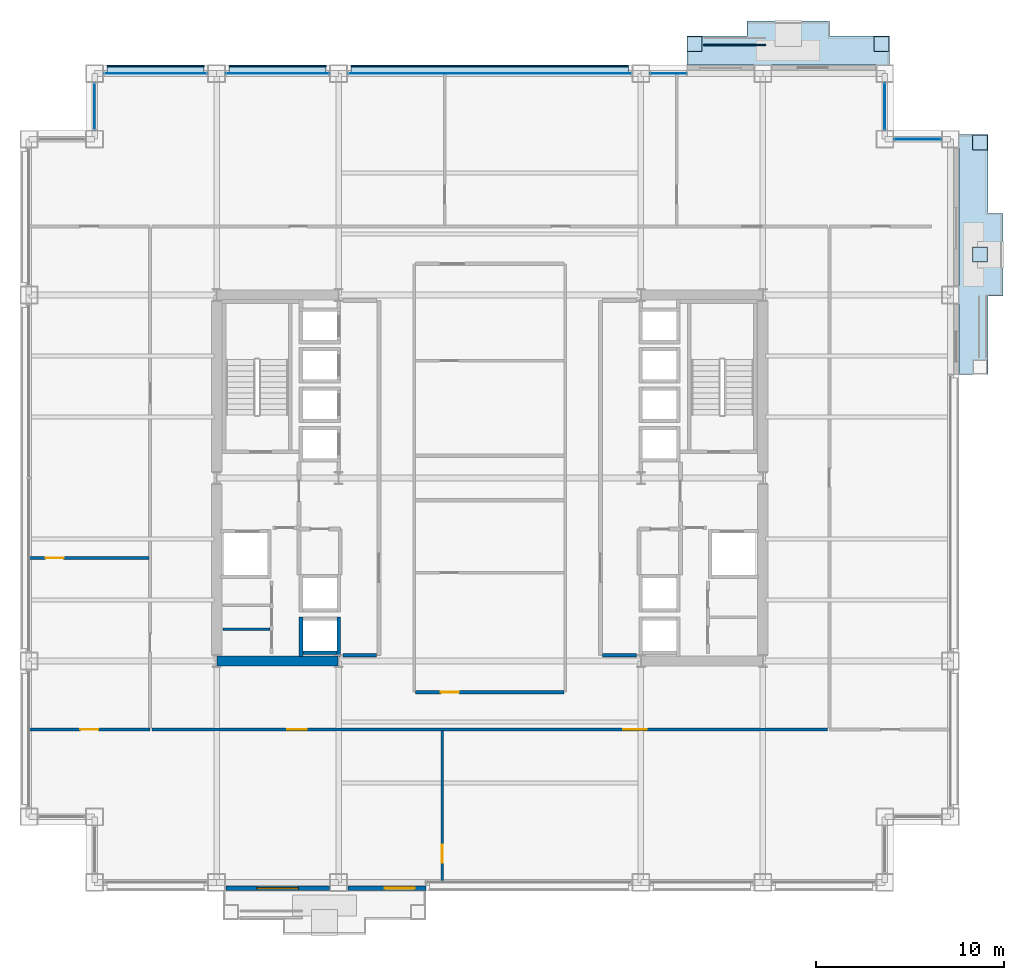
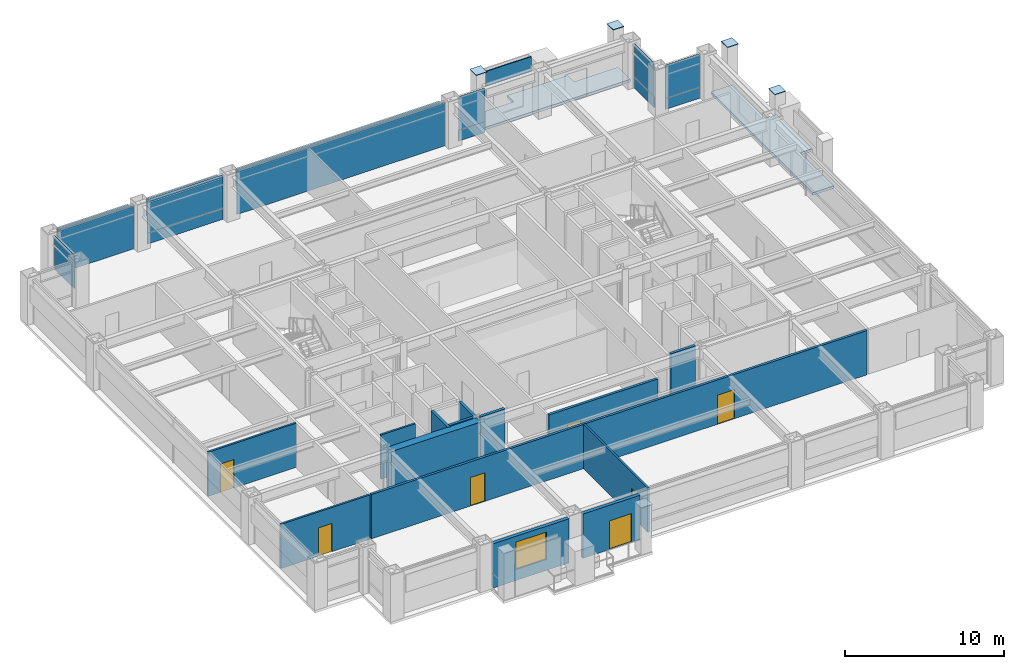
# One storey, part 24 of 31: 22 plates, 14 walls, 7 doors, 2 slabs, 1 window, 8 openings, 7 elements without a shape of their own.
"""IFC4 building model written with IfcOpenShell, lengths in metres."""

from ifc_helpers import new_model, si_unit, direction, frame, frame_2d, origin, origin_2d, place, context, subcontext, project, spatial, polyline, rectangle, outline, extrude, material, layer, layer_set, type_object, element, fill, aggregate, save


model = new_model("IFC4")

# Units and contexts
model_context = context("Model", 3, precision=1e-05, world=origin(), true_north=direction((0.0, 1.0)))
body_context = subcontext(model_context, "Body", "Model", "MODEL_VIEW")
ifc_project = project(units=[si_unit("LENGTHUNIT", "METRE"), si_unit("AREAUNIT", "SQUARE_METRE"), si_unit("VOLUMEUNIT", "CUBIC_METRE"), si_unit("PLANEANGLEUNIT", "RADIAN"), si_unit("MASSUNIT", "GRAM", prefix="KILO")], contexts=[model_context])

# Site, building, storey
site_placement = place(None, origin())
site = spatial("IfcSite", under=ifc_project, at=site_placement, CompositionType="ELEMENT")
building_placement = place(site_placement, origin())
building = spatial("IfcBuilding", under=site, at=building_placement, Name="Brelmoor Portico Tower", CompositionType="ELEMENT")
storey_placement = place(building_placement, frame((0.0, 0.0, 42.0)))
storey = spatial("IfcBuildingStorey", under=building, at=storey_placement, Name="L10", CompositionType="ELEMENT", Elevation=42.0)

# Plates
ifc_material_1 = material(Name="Steel Q355B", Category="steel")
ifc_layer_1 = layer(ifc_material_1, 0.044921875)
ifc_layer_set_1 = layer_set([ifc_layer_1], Name="Steel Q355B")
plate_type_1 = type_object("IfcPlateType", Name="PT-CAP-650", PredefinedType="SHEET", material=ifc_layer_set_1)
for number, where, z_axis, x_axis, name in (
    (1, (10.919921875, 23.1298828125, 3.60009765625), (0.0, 0.0, 1.0), (1.0, 0.0, 0.0), "L10 Proud Picture-Frame Pier PFJ-N1 Welded Head Cap Plate"),
    (2, (20.8798828125, 23.1298828125, 3.60009765625), (0.0, 0.0, 1.0), (1.0, 0.0, 0.0), "L10 Proud Picture-Frame Pier PFJ-N2 Welded Head Cap Plate"),
    (3, (26.1298828125, 17.8798828125, 3.60009765625), (0.0, 0.0, 1.0), (0.0, 1.0, 0.0), "L10 Proud Picture-Frame Pier PFJ-E2 Welded Head Cap Plate"),
    (4, (26.1298828125, 11.89990234375, 3.60009765625), (0.0, 0.0, 1.0), (0.0, 1.0, 0.0), "L10 Proud Picture-Frame Pier PFJ-E3 Welded Head Cap Plate"),
):
    element("IfcPlate", number, at=place(storey_placement, frame(where, z_axis=z_axis, x_axis=x_axis)), inside=storey, type_object=plate_type_1, Name=name, PredefinedType="SHEET", context=body_context, shape_type="SweptSolid", body=[
        extrude(rectangle(XDim=0.7900390625, YDim=0.7900390625, at=origin_2d()), origin(), (0.0, 0.0, 1.0), 0.0400390625),
    ])

# Curtain wall, plate
ifc_material_2 = material(Name="Anodised Aluminium Alloy 6063-T6", Category="aluminium")
ifc_layer_2 = layer(ifc_material_2, 0.179931640625)
ifc_layer_set_2 = layer_set([ifc_layer_2], Name="Anodised Aluminium Alloy 6063-T6")
curtain_wall_type_1 = type_object("IfcCurtainWallType", Name="CW-TOWER-Z1", PredefinedType="NOTDEFINED", material=ifc_layer_set_2)
curtain_wall_1_placement = place(storey_placement, origin())
curtain_wall_1 = element("IfcCurtainWall", 5, at=curtain_wall_1_placement, inside=storey, type_object=curtain_wall_type_1, Name="L10 Curtain Wall CW-L10-2L-2", PredefinedType="NOTDEFINED")
ifc_material_3 = material(Name="Double-Silver Low-E Insulated Glazing", Category="glass")
ifc_layer_3 = layer(ifc_material_3, 0.035888671875)
ifc_layer_set_3 = layer_set([ifc_layer_3], Name="Double-Silver Low-E Insulated Glazing")
plate_type_2 = type_object("IfcPlateType", Name="PT-CW-GLASS", PredefinedType="CURTAIN_PANEL", material=ifc_layer_set_3)
plate_1_placement = place(storey_placement, frame((-11.300048828125, 21.550048828125, 0.85009765625), z_axis=(0.0, 0.0, 1.0), x_axis=(1.0, 0.0, 0.0)))
plate_1 = element("IfcPlate", 6, at=plate_1_placement, type_object=plate_type_2, Name="CW-L10-2L-2 Vision Glass Panel 00", PredefinedType="CURTAIN_PANEL", context=body_context, shape_type="SweptSolid", body=[
    extrude(rectangle(XDim=5.5, YDim=0.035888671875, at=origin_2d()), origin(), (0.0, 0.0, 1.0), 2.550048828125),
])

curtain_wall_2_placement = place(storey_placement, origin())
curtain_wall_2 = element("IfcCurtainWall", 7, at=curtain_wall_2_placement, inside=storey, type_object=curtain_wall_type_1, Name="L10 Curtain Wall CW-L10-2L-4", PredefinedType="NOTDEFINED")
plate_2_placement = place(storey_placement, frame((9.517578125, 21.550048828125, 0.85009765625), z_axis=(0.0, 0.0, 1.0), x_axis=(1.0, 0.0, 0.0)))
plate_2 = element("IfcPlate", 8, at=plate_2_placement, type_object=plate_type_2, Name="CW-L10-2L-4 Vision Glass Panel 00", PredefinedType="CURTAIN_PANEL", context=body_context, shape_type="SweptSolid", body=[
    extrude(rectangle(XDim=1.93505859375, YDim=0.035888671875, at=origin_2d()), origin(), (0.0, 0.0, 1.0), 2.550048828125),
])

ifc_layer_4 = layer(ifc_material_2, 0.179931640625)
ifc_layer_set_4 = layer_set([ifc_layer_4], Name="Anodised Aluminium Alloy 6063-T6")
curtain_wall_type_2 = type_object("IfcCurtainWallType", Name="CW-NOTCH-CHAMFER", PredefinedType="NOTDEFINED", material=ifc_layer_set_4)
curtain_wall_3_placement = place(storey_placement, origin())
curtain_wall_3 = element("IfcCurtainWall", 9, at=curtain_wall_3_placement, inside=storey, type_object=curtain_wall_type_2, Name="L10 Curtain Wall CWN-L10-NWV", PredefinedType="NOTDEFINED")
plate_3_placement = place(storey_placement, frame((-21.050048828125, 19.800048828125, 0.85009765625), z_axis=(0.0, 0.0, 1.0), x_axis=(0.0, 1.0, 0.0)))
plate_3 = element("IfcPlate", 10, at=plate_3_placement, type_object=plate_type_2, Name="CWN-L10-NWV Vision Glass Panel 00", PredefinedType="CURTAIN_PANEL", context=body_context, shape_type="SweptSolid", body=[
    extrude(rectangle(XDim=2.5, YDim=0.035888671875, at=origin_2d()), origin(), (0.0, 0.0, 1.0), 2.550048828125),
])
aggregate(curtain_wall_3, [plate_3])

curtain_wall_4_placement = place(storey_placement, origin())
curtain_wall_4 = element("IfcCurtainWall", 11, at=curtain_wall_4_placement, inside=storey, type_object=curtain_wall_type_2, Name="L10 Curtain Wall CWN-L10-NEH", PredefinedType="NOTDEFINED")
plate_4_placement = place(storey_placement, frame((22.800048828125, 18.050048828125, 0.85009765625), z_axis=(0.0, 0.0, 1.0), x_axis=(1.0, 0.0, 0.0)))
plate_4 = element("IfcPlate", 12, at=plate_4_placement, type_object=plate_type_2, Name="CWN-L10-NEH Vision Glass Panel 00", PredefinedType="CURTAIN_PANEL", context=body_context, shape_type="SweptSolid", body=[
    extrude(rectangle(XDim=2.5, YDim=0.035888671875, at=origin_2d()), origin(), (0.0, 0.0, 1.0), 2.550048828125),
])

curtain_wall_5_placement = place(storey_placement, origin())
curtain_wall_5 = element("IfcCurtainWall", 13, at=curtain_wall_5_placement, inside=storey, type_object=curtain_wall_type_2, Name="L10 Curtain Wall CWN-L10-NEV", PredefinedType="NOTDEFINED")
plate_5_placement = place(storey_placement, frame((21.050048828125, 19.800048828125, 0.85009765625), z_axis=(0.0, 0.0, 1.0), x_axis=(0.0, 1.0, 0.0)))
plate_5 = element("IfcPlate", 14, at=plate_5_placement, type_object=plate_type_2, Name="CWN-L10-NEV Vision Glass Panel 00", PredefinedType="CURTAIN_PANEL", context=body_context, shape_type="SweptSolid", body=[
    extrude(rectangle(XDim=2.5, YDim=0.035888671875, at=origin_2d()), origin(), (0.0, 0.0, 1.0), 2.550048828125),
])

ifc_layer_5 = layer(ifc_material_2, 0.179931640625)
ifc_layer_set_5 = layer_set([ifc_layer_5], Name="Anodised Aluminium Alloy 6063-T6")
curtain_wall_type_3 = type_object("IfcCurtainWallType", Name="CW-TOWER-Z1-XB", PredefinedType="NOTDEFINED", material=ifc_layer_set_5)
curtain_wall_6_placement = place(storey_placement, origin())
curtain_wall_6 = element("IfcCurtainWall", 15, at=curtain_wall_6_placement, inside=storey, type_object=curtain_wall_type_3, Name="L10 Curtain Wall CW-L10-2L-1", PredefinedType="NOTDEFINED")
ifc_material_4 = material(Name="Pale Champagne Anodised Aluminium Panel", Category="aluminium")
ifc_layer_6 = layer(ifc_material_4, 0.050048828125)
ifc_layer_set_6 = layer_set([ifc_layer_6], Name="Pale Champagne Anodised Aluminium Panel")
plate_type_3 = type_object("IfcPlateType", Name="PT-CW-SPANDREL", PredefinedType="SHEET", material=ifc_layer_set_6)
plate_6_placement = place(storey_placement, frame((-17.800048828125, 21.550048828125, 0.0), z_axis=(0.0, 0.0, 1.0), x_axis=(1.0, 0.0, 0.0)))
plate_6 = element("IfcPlate", 16, at=plate_6_placement, type_object=plate_type_3, Name="CW-L10-2L-1 Spandrel Panel 00", PredefinedType="SHEET", context=body_context, shape_type="SweptSolid", body=[
    extrude(rectangle(XDim=5.5, YDim=0.050048828125, at=origin_2d()), origin(), (0.0, 0.0, 1.0), 3.330078125),
])
aggregate(curtain_wall_6, [plate_6])

# Plate
plate_7_placement = place(storey_placement, frame((-11.300048828125, 21.550048828125, 0.0), z_axis=(0.0, 0.0, 1.0), x_axis=(1.0, 0.0, 0.0)))
plate_7 = element("IfcPlate", 17, at=plate_7_placement, type_object=plate_type_3, Name="CW-L10-2L-2 Spandrel Panel 00", PredefinedType="SHEET", context=body_context, shape_type="SweptSolid", body=[
    extrude(rectangle(XDim=5.5, YDim=0.050048828125, at=origin_2d()), origin(), (0.0, 0.0, 1.0), 0.85009765625),
])

aggregate(curtain_wall_1, [plate_7, plate_1])

# Curtain wall, plate
curtain_wall_7_placement = place(storey_placement, origin())
curtain_wall_7 = element("IfcCurtainWall", 18, at=curtain_wall_7_placement, inside=storey, type_object=curtain_wall_type_3, Name="L10 Curtain Wall CW-L10-2L-3", PredefinedType="NOTDEFINED")
plate_8_placement = place(storey_placement, frame((0.0, 21.550048828125, 0.0), z_axis=(0.0, 0.0, 1.0), x_axis=(1.0, 0.0, 0.0)))
plate_8 = element("IfcPlate", 19, at=plate_8_placement, type_object=plate_type_3, Name="CW-L10-2L-3 Spandrel Panel 00", PredefinedType="SHEET", context=body_context, shape_type="SweptSolid", body=[
    extrude(rectangle(XDim=15.10009765625, YDim=0.050048828125, at=origin_2d()), origin(), (0.0, 0.0, 1.0), 3.330078125),
])
aggregate(curtain_wall_7, [plate_8])

# Plate
plate_9_placement = place(storey_placement, frame((9.517578125, 21.550048828125, 0.0), z_axis=(0.0, 0.0, 1.0), x_axis=(1.0, 0.0, 0.0)))
plate_9 = element("IfcPlate", 20, at=plate_9_placement, type_object=plate_type_3, Name="CW-L10-2L-4 Spandrel Panel 00", PredefinedType="SHEET", context=body_context, shape_type="SweptSolid", body=[
    extrude(rectangle(XDim=1.93505859375, YDim=0.050048828125, at=origin_2d()), origin(), (0.0, 0.0, 1.0), 0.85009765625),
])

aggregate(curtain_wall_2, [plate_9, plate_2])

plate_10_placement = place(storey_placement, frame((22.800048828125, 18.050048828125, 0.0), z_axis=(0.0, 0.0, 1.0), x_axis=(1.0, 0.0, 0.0)))
plate_10 = element("IfcPlate", 21, at=plate_10_placement, type_object=plate_type_3, Name="CWN-L10-NEH Spandrel Panel 00", PredefinedType="SHEET", context=body_context, shape_type="SweptSolid", body=[
    extrude(rectangle(XDim=2.5, YDim=0.050048828125, at=origin_2d()), origin(), (0.0, 0.0, 1.0), 0.85009765625),
])

aggregate(curtain_wall_4, [plate_10, plate_4])

plate_11_placement = place(storey_placement, frame((21.050048828125, 19.800048828125, 0.0), z_axis=(0.0, 0.0, 1.0), x_axis=(0.0, 1.0, 0.0)))
plate_11 = element("IfcPlate", 22, at=plate_11_placement, type_object=plate_type_3, Name="CWN-L10-NEV Spandrel Panel 00", PredefinedType="SHEET", context=body_context, shape_type="SweptSolid", body=[
    extrude(rectangle(XDim=2.5, YDim=0.050048828125, at=origin_2d()), origin(), (0.0, 0.0, 1.0), 0.85009765625),
])

aggregate(curtain_wall_5, [plate_11, plate_5])

# Plates
ifc_material_5 = material(Name="Powder-Coated Aluminium Shuttered Jalousie Louvre", Category="aluminium")
ifc_layer_7 = layer(ifc_material_5, 0.06005859375)
ifc_layer_set_7 = layer_set([ifc_layer_7], Name="Powder-Coated Aluminium Shuttered Jalousie Louvre")
plate_type_4 = type_object("IfcPlateType", Name="PT-JALOUSIE-SHUTTER", PredefinedType="SHEET", material=ifc_layer_set_7)
for number, where, z_axis, x_axis, name in (
    (23, (-17.800048828125, 21.929931640625, 1.8740234375), (0.0, 0.0, 1.0), (1.0, 0.0, 0.0), "CW-L10-2L-1 Perforated Jalousie Solar Screen"),
    (24, (-11.300048828125, 21.929931640625, 1.8740234375), (0.0, 0.0, 1.0), (1.0, 0.0, 0.0), "CW-L10-2L-2 Perforated Jalousie Solar Screen"),
):
    element("IfcPlate", number, at=place(storey_placement, frame(where, z_axis=z_axis, x_axis=x_axis)), inside=storey, type_object=plate_type_4, Name=name, PredefinedType="SHEET", context=body_context, shape_type="SweptSolid", body=[
        extrude(rectangle(XDim=5.169921875, YDim=0.06494140625, at=origin_2d()), origin(), (0.0, 0.0, 1.0), 1.325927734375),
    ])
plate_12_placement = place(storey_placement, frame((0.0, 21.929931640625, 1.8740234375), z_axis=(0.0, 0.0, 1.0), x_axis=(1.0, 0.0, 0.0)))
element("IfcPlate", 25, at=plate_12_placement, inside=storey, type_object=plate_type_4, Name="CW-L10-2L-3 Perforated Jalousie Solar Screen", PredefinedType="SHEET", context=body_context, shape_type="SweptSolid", body=[
    extrude(rectangle(XDim=14.77001953125, YDim=0.06494140625, at=origin_2d()), origin(), (0.0, 0.0, 1.0), 1.325927734375),
])
plate_13_placement = place(storey_placement, frame((13.050048828125, 23.080078125, 2.275146484375), z_axis=(0.0, 0.0, 1.0), x_axis=(1.0, 0.0, 0.0)))
element("IfcPlate", 26, at=plate_13_placement, inside=storey, type_object=plate_type_4, Name="L10 Shuttered Veranda Screen N", PredefinedType="SHEET", context=body_context, shape_type="SweptSolid", body=[
    extrude(rectangle(XDim=3.300048828125, YDim=0.080078125, at=origin_2d()), origin(), (0.0, 0.0, 1.0), 1.14990234375),
])
ifc_material_6 = material(Name="Pale Champagne Perforated Aluminium Solar Screen", Category="aluminium")
ifc_layer_8 = layer(ifc_material_6, 0.054931640625)
ifc_layer_set_8 = layer_set([ifc_layer_8], Name="Pale Champagne Perforated Aluminium Solar Screen")
plate_type_5 = type_object("IfcPlateType", Name="PT-SOLAR-LOUVRE", PredefinedType="SHEET", material=ifc_layer_set_8)
for number, where, z_axis, x_axis, name in (
    (27, (-17.800048828125, 21.760009765625, 3.08984375), (0.0, 0.0, 1.0), (1.0, 0.0, 0.0), "CW-L10-2L-1 Caribbean Brise-Soleil Solar Screen"),
    (28, (-11.300048828125, 21.760009765625, 3.08984375), (0.0, 0.0, 1.0), (1.0, 0.0, 0.0), "CW-L10-2L-2 Caribbean Brise-Soleil Solar Screen"),
):
    element("IfcPlate", number, at=place(storey_placement, frame(where, z_axis=z_axis, x_axis=x_axis)), inside=storey, type_object=plate_type_5, Name=name, PredefinedType="SHEET", context=body_context, shape_type="SweptSolid", body=[
        extrude(rectangle(XDim=5.169921875, YDim=0.4599609375, at=origin_2d()), origin(), (0.0, 0.0, 1.0), 0.139892578125),
    ])
plate_14_placement = place(storey_placement, frame((0.0, 21.760009765625, 3.08984375), z_axis=(0.0, 0.0, 1.0), x_axis=(1.0, 0.0, 0.0)))
element("IfcPlate", 29, at=plate_14_placement, inside=storey, type_object=plate_type_5, Name="CW-L10-2L-3 Caribbean Brise-Soleil Solar Screen", PredefinedType="SHEET", context=body_context, shape_type="SweptSolid", body=[
    extrude(rectangle(XDim=14.77001953125, YDim=0.4599609375, at=origin_2d()), origin(), (0.0, 0.0, 1.0), 0.139892578125),
])

# Slabs
ifc_material_7 = material(Name="Concrete C40", Category="concrete")
ifc_layer_9 = layer(ifc_material_7, 0.199951171875)
ifc_layer_set_9 = layer_set([ifc_layer_9], Name="Concrete C40")
slab_type = type_object("IfcSlabType", Name="SL-BALCONY-200", PredefinedType="FLOOR", material=ifc_layer_set_9)
slab_1_placement = place(storey_placement, frame((0.0, 0.0, -0.199951171875)))
element("IfcSlab", 30, at=slab_1_placement, inside=storey, type_object=slab_type, Name="L10 Loggia Tree Balcony Slab N", PredefinedType="FLOOR", context=body_context, shape_type="SweptSolid", body=[
    extrude(outline(polyline([(10.5, 22.0), (21.300048828125, 22.0), (21.300048828125, 23.550048828125), (18.10009765625, 23.550048828125), (18.10009765625, 24.35009765625), (13.699951171875, 24.35009765625), (13.699951171875, 23.550048828125), (10.5, 23.550048828125), (10.5, 22.0)])), origin(), (0.0, 0.0, 1.0), 0.199951171875),
])
slab_2_placement = place(storey_placement, frame((0.0, 0.0, -0.199951171875)))
element("IfcSlab", 31, at=slab_2_placement, inside=storey, type_object=slab_type, Name="L10 Loggia Tree Balcony Slab E", PredefinedType="FLOOR", context=body_context, shape_type="SweptSolid", body=[
    extrude(outline(polyline([(25.0, 5.5), (26.550048828125, 5.5), (26.550048828125, 9.699951171875), (27.35009765625, 9.699951171875), (27.35009765625, 14.10009765625), (26.550048828125, 14.10009765625), (26.550048828125, 18.300048828125), (25.0, 18.300048828125), (25.0, 5.5)])), origin(), (0.0, 0.0, 1.0), 0.199951171875),
])

# Wall
ifc_material_8 = material(Name="Concrete C60", Category="concrete")
ifc_layer_10 = layer(ifc_material_8, 0.550048828125)
ifc_layer_set_10 = layer_set([ifc_layer_10], Name="Concrete C60")
wall_type_1 = type_object("IfcWallType", Name="WL-CORE-550", PredefinedType="SHEAR", material=ifc_layer_set_10)
wall_1_placement = place(storey_placement, frame((-14.530029296875, -9.75, -0.199951171875), z_axis=(0.0, 0.0, 1.0), x_axis=(1.0, 0.0, 0.0)))
element("IfcWall", 32, at=wall_1_placement, inside=storey, type_object=wall_type_1, Name="L10 WC South Shear Wall", PredefinedType="SHEAR", context=body_context, shape_type="SweptSolid", body=[
    extrude(rectangle(XDim=6.4599609375, YDim=0.550048828125, at=frame_2d((3.22998046875, 0.0))), origin(), (0.0, 0.0, 1.0), 3.599853515625),
])

# Wall, opening, window
ifc_material_9 = material(Name="Precast Concrete C40 Insulated Facade Wall", Category="concrete")
ifc_layer_11 = layer(ifc_material_9, 0.25)
ifc_layer_set_11 = layer_set([ifc_layer_11], Name="Precast Concrete C40 Insulated Facade Wall")
wall_type_2 = type_object("IfcWallType", Name="WL-EXT-250", PredefinedType="STANDARD", material=ifc_layer_set_11)
wall_2_placement = place(storey_placement, frame((-14.054931640625, -21.860107421875, 0.0), z_axis=(0.0, 0.0, 1.0), x_axis=(1.0, 0.0, 0.0)))
wall_2 = element("IfcWall", 33, at=wall_2_placement, inside=storey, type_object=wall_type_2, Name="L10 Loggia Threshold Wall S-1", PredefinedType="STANDARD", context=body_context, shape_type="SweptSolid", body=[
    extrude(rectangle(XDim=5.510009765625, YDim=0.25, at=frame_2d((2.7548828125, 0.0))), origin(), (0.0, 0.0, 1.0), 3.39990234375),
])
opening_1_placement = place(wall_2_placement, frame((1.655029296875, 0.0, 0.85009765625)))
opening_1 = element("IfcOpeningElement", 34, at=opening_1_placement, cuts=wall_2, Name="Opening W-03B", PredefinedType="OPENING", context=body_context, shape_type="SweptSolid", body=[
    extrude(rectangle(XDim=2.199951171875, YDim=2.10009765625, at=frame_2d((1.10009765625, 1.050048828125))), frame((0.0, 0.135009765625, 0.0), z_axis=(0.0, -1.0, 0.0), x_axis=(1.0, 0.0, 0.0)), (0.0, 0.0, 1.0), 0.27001953125),
])
ifc_material_10 = material(Name="Thermally Broken Aluminium Low-E Window", Category="aluminium")
window_type = type_object("IfcWindowType", Name="WN-LOGGIA-2200x2100", PartitioningType="SINGLE_PANEL", PredefinedType="WINDOW", material=ifc_material_10)
window_placement = place(opening_1_placement, origin())
window = element("IfcWindow", 35, at=window_placement, inside=storey, type_object=window_type, Name="L10 Loggia Window S", OverallHeight=2.10009765625, OverallWidth=2.199951171875, PartitioningType="SINGLE_PANEL", PredefinedType="WINDOW", context=body_context, shape_type="SweptSolid", body=[
    extrude(rectangle(XDim=2.199951171875, YDim=2.10009765625, at=frame_2d((1.10009765625, 1.050048828125))), frame((0.0, 0.030029296875, 0.0), z_axis=(0.0, -1.0, 0.0), x_axis=(1.0, 0.0, 0.0)), (0.0, 0.0, 1.0), 0.06005859375),
])
fill(opening_1, window)

# Wall, opening, door
wall_3_placement = place(storey_placement, frame((-7.554931640625, -21.860107421875, 0.0), z_axis=(0.0, 0.0, 1.0), x_axis=(1.0, 0.0, 0.0)))
wall_3 = element("IfcWall", 36, at=wall_3_placement, inside=storey, type_object=wall_type_2, Name="L10 Loggia Threshold Wall S-2", PredefinedType="STANDARD", context=body_context, shape_type="SweptSolid", body=[
    extrude(rectangle(XDim=4.155029296875, YDim=0.25, at=frame_2d((2.07763671875, 0.0))), origin(), (0.0, 0.0, 1.0), 3.39990234375),
])
opening_2_placement = place(wall_3_placement, frame((1.955078125, 0.0, 0.0)))
opening_2 = element("IfcOpeningElement", 37, at=opening_2_placement, cuts=wall_3, Name="Opening D-TB1", PredefinedType="OPENING", context=body_context, shape_type="SweptSolid", body=[
    extrude(rectangle(XDim=1.60009765625, YDim=2.199951171875, at=frame_2d((0.800048828125, 1.10009765625))), frame((0.0, 0.135009765625, 0.0), z_axis=(0.0, -1.0, 0.0), x_axis=(1.0, 0.0, 0.0)), (0.0, 0.0, 1.0), 0.27001953125),
])
ifc_material_11 = material(Name="Double-Leaf Thermally Broken Terrace Door", Category="aluminium")
door_type_1 = type_object("IfcDoorType", Name="DR-BALCONY-1600", OperationType="NOTDEFINED", PredefinedType="DOOR", material=ifc_material_11)
door_1_placement = place(opening_2_placement, origin())
door_1 = element("IfcDoor", 38, at=door_1_placement, inside=storey, type_object=door_type_1, Name="D-0467 L10 Tree Balcony Double Door S", OperationType="DOUBLE_DOOR_SINGLE_SWING", OverallHeight=2.199951171875, OverallWidth=1.60009765625, PredefinedType="DOOR", context=body_context, shape_type="SweptSolid", body=[
    extrude(rectangle(XDim=1.60009765625, YDim=2.199951171875, at=frame_2d((0.800048828125, 1.10009765625))), frame((0.0, 0.02490234375, 0.0), z_axis=(0.0, -1.0, 0.0), x_axis=(1.0, 0.0, 0.0)), (0.0, 0.0, 1.0), 0.050048828125),
])
fill(opening_2, door_1)

# Wall
ifc_material_12 = material(Name="Insulated Stud Suite Partition", Category="gypsum")
ifc_layer_12 = layer(ifc_material_12, 0.139892578125)
ifc_layer_set_12 = layer_set([ifc_layer_12], Name="Insulated Stud Suite Partition")
wall_type_3 = type_object("IfcWallType", Name="WL-PART-140", PredefinedType="PARTITIONING", material=ifc_layer_set_12)
wall_4_placement = place(storey_placement, frame((-11.699951171875, -8.066650390625, 0.0), z_axis=(0.0, 0.0, 1.0), x_axis=(-1.0, 0.0, 0.0)))
element("IfcWall", 39, at=wall_4_placement, inside=storey, type_object=wall_type_3, Name="L10 W Core WC Divider 1", PredefinedType="PARTITIONING", context=body_context, shape_type="SweptSolid", body=[
    extrude(rectangle(XDim=2.5, YDim=0.139892578125, at=frame_2d((1.25, 0.0))), origin(), (0.0, 0.0, 1.0), 3.39990234375),
])

# Wall, opening, door
wall_5_placement = place(storey_placement, frame((-2.530029296875, -21.56005859375, 0.0), z_axis=(0.0, 0.0, 1.0), x_axis=(0.0, 1.0, 0.0)))
wall_5 = element("IfcWall", 40, at=wall_5_placement, inside=storey, type_object=wall_type_3, Name="L10 South Suite Partition 1", PredefinedType="PARTITIONING", context=body_context, shape_type="SweptSolid", body=[
    extrude(rectangle(XDim=8.10009765625, YDim=0.139892578125, at=frame_2d((4.050048828125, 0.0))), origin(), (0.0, 0.0, 1.0), 3.39990234375),
])
opening_3_placement = place(wall_5_placement, frame((1.050048828125, 0.0, 0.0)))
opening_3 = element("IfcOpeningElement", 41, at=opening_3_placement, cuts=wall_5, Name="Opening D-IN2", PredefinedType="OPENING", context=body_context, shape_type="SweptSolid", body=[
    extrude(rectangle(XDim=0.9599609375, YDim=2.179931640625, at=frame_2d((0.47998046875, 1.08984375))), frame((0.0, 0.079833984375, 0.0), z_axis=(0.0, -1.0, 0.0), x_axis=(1.0, 0.0, 0.0)), (0.0, 0.0, 1.0), 0.159912109375),
])
ifc_material_13 = material(Name="Lacquered Timber Suite Door", Category="wood")
door_type_2 = type_object("IfcDoorType", Name="DR-INT-950", OperationType="NOTDEFINED", PredefinedType="DOOR", material=ifc_material_13)
door_2_placement = place(opening_3_placement, origin())
door_2 = element("IfcDoor", 42, at=door_2_placement, inside=storey, type_object=door_type_2, Name="D-0460 L10 South Suite Connecting Door 1", OperationType="SINGLE_SWING_LEFT", OverallHeight=2.179931640625, OverallWidth=0.9599609375, PredefinedType="DOOR", context=body_context, shape_type="SweptSolid", body=[
    extrude(rectangle(XDim=0.9599609375, YDim=2.179931640625, at=frame_2d((0.47998046875, 1.08984375))), frame((0.0, 0.02490234375, 0.0), z_axis=(0.0, -1.0, 0.0), x_axis=(1.0, 0.0, 0.0)), (0.0, 0.0, 1.0), 0.050048828125),
])
fill(opening_3, door_2)

wall_6_placement = place(storey_placement, frame((-24.56005859375, -13.39990234375, 0.0), z_axis=(0.0, 0.0, 1.0), x_axis=(1.0, 0.0, 0.0)))
wall_6 = element("IfcWall", 43, at=wall_6_placement, inside=storey, type_object=wall_type_3, Name="L10 South Outer Closure WL", PredefinedType="PARTITIONING", context=body_context, shape_type="SweptSolid", body=[
    extrude(rectangle(XDim=6.4599609375, YDim=0.139892578125, at=frame_2d((3.22998046875, 0.0))), origin(), (0.0, 0.0, 1.0), 3.39990234375),
])
opening_4_placement = place(wall_6_placement, frame((2.75, 0.0, 0.0)))
opening_4 = element("IfcOpeningElement", 44, at=opening_4_placement, cuts=wall_6, Name="Opening D-IN2", PredefinedType="OPENING", context=body_context, shape_type="SweptSolid", body=[
    extrude(rectangle(XDim=0.9599609375, YDim=2.179931640625, at=frame_2d((0.47998046875, 1.08984375))), frame((0.0, 0.079833984375, 0.0), z_axis=(0.0, -1.0, 0.0), x_axis=(1.0, 0.0, 0.0)), (0.0, 0.0, 1.0), 0.159912109375),
])
door_3_placement = place(opening_4_placement, origin())
door_3 = element("IfcDoor", 45, at=door_3_placement, inside=storey, type_object=door_type_2, Name="D-0464 L10 WL South Corner Suite Door", OperationType="SINGLE_SWING_RIGHT", OverallHeight=2.179931640625, OverallWidth=0.9599609375, PredefinedType="DOOR", context=body_context, shape_type="SweptSolid", body=[
    extrude(rectangle(XDim=0.9599609375, YDim=2.179931640625, at=frame_2d((0.47998046875, 1.08984375))), frame((0.0, 0.02490234375, 0.0), z_axis=(0.0, -1.0, 0.0), x_axis=(1.0, 0.0, 0.0)), (0.0, 0.0, 1.0), 0.050048828125),
])
fill(opening_4, door_3)

wall_7_placement = place(storey_placement, frame((-24.56005859375, -4.262451171875, 0.0), z_axis=(0.0, 0.0, 1.0), x_axis=(1.0, 0.0, 0.0)))
wall_7 = element("IfcWall", 46, at=wall_7_placement, inside=storey, type_object=wall_type_3, Name="L10 W Wing Partition 1", PredefinedType="PARTITIONING", context=body_context, shape_type="SweptSolid", body=[
    extrude(rectangle(XDim=6.400146484375, YDim=0.139892578125, at=frame_2d((3.2001953125, 0.0))), origin(), (0.0, 0.0, 1.0), 3.39990234375),
])
opening_5_placement = place(wall_7_placement, frame((0.89990234375, 0.0, 0.0)))
opening_5 = element("IfcOpeningElement", 47, at=opening_5_placement, cuts=wall_7, Name="Opening D-IN2", PredefinedType="OPENING", context=body_context, shape_type="SweptSolid", body=[
    extrude(rectangle(XDim=0.9599609375, YDim=2.179931640625, at=frame_2d((0.47998046875, 1.08984375))), frame((0.0, 0.079833984375, 0.0), z_axis=(0.0, -1.0, 0.0), x_axis=(1.0, 0.0, 0.0)), (0.0, 0.0, 1.0), 0.159912109375),
])
door_4_placement = place(opening_5_placement, origin())
door_4 = element("IfcDoor", 48, at=door_4_placement, inside=storey, type_object=door_type_2, Name="D-0471 L10 W Wing Suite Connecting Door 1", OperationType="SINGLE_SWING_RIGHT", OverallHeight=2.179931640625, OverallWidth=0.9599609375, PredefinedType="DOOR", context=body_context, shape_type="SweptSolid", body=[
    extrude(rectangle(XDim=0.9599609375, YDim=2.179931640625, at=frame_2d((0.47998046875, 1.08984375))), frame((0.0, 0.02490234375, 0.0), z_axis=(0.0, -1.0, 0.0), x_axis=(1.0, 0.0, 0.0)), (0.0, 0.0, 1.0), 0.050048828125),
])
fill(opening_5, door_4)

ifc_material_14 = material(Name="Acoustic Corridor Fire Partition", Category="gypsum")
ifc_layer_13 = layer(ifc_material_14, 0.179931640625)
ifc_layer_set_13 = layer_set([ifc_layer_13], Name="Acoustic Corridor Fire Partition")
wall_type_4 = type_object("IfcWallType", Name="WL-PART-180", PredefinedType="PARTITIONING", material=ifc_layer_set_13)
wall_8_placement = place(storey_placement, frame((-3.949951171875, -11.419921875, 0.0), z_axis=(0.0, 0.0, 1.0), x_axis=(1.0, 0.0, 0.0)))
wall_8 = element("IfcWall", 49, at=wall_8_placement, inside=storey, type_object=wall_type_4, Name="L10 Central Pantry Corridor Wall", PredefinedType="PARTITIONING", context=body_context, shape_type="SweptSolid", body=[
    extrude(rectangle(XDim=7.89990234375, YDim=0.179931640625, at=frame_2d((3.949951171875, 0.0))), origin(), (0.0, 0.0, 1.0), 3.39990234375),
])
opening_6_placement = place(wall_8_placement, frame((1.35009765625, 0.0, 0.0)))
opening_6 = element("IfcOpeningElement", 50, at=opening_6_placement, cuts=wall_8, Name="Opening D-IN2", PredefinedType="OPENING", context=body_context, shape_type="SweptSolid", body=[
    extrude(rectangle(XDim=0.9599609375, YDim=2.179931640625, at=frame_2d((0.47998046875, 1.08984375))), frame((0.0, 0.099853515625, 0.0), z_axis=(0.0, -1.0, 0.0), x_axis=(1.0, 0.0, 0.0)), (0.0, 0.0, 1.0), 0.199951171875),
])
door_5_placement = place(opening_6_placement, origin())
door_5 = element("IfcDoor", 51, at=door_5_placement, inside=storey, type_object=door_type_2, Name="D-0436 L10 Staff Pantry Door", OperationType="SINGLE_SWING_LEFT", OverallHeight=2.179931640625, OverallWidth=0.9599609375, PredefinedType="DOOR", context=body_context, shape_type="SweptSolid", body=[
    extrude(rectangle(XDim=0.9599609375, YDim=2.179931640625, at=frame_2d((0.47998046875, 1.08984375))), frame((0.0, 0.02490234375, 0.0), z_axis=(0.0, -1.0, 0.0), x_axis=(1.0, 0.0, 0.0)), (0.0, 0.0, 1.0), 0.050048828125),
])
fill(opening_6, door_5)

# Wall, openings, doors
wall_9_placement = place(storey_placement, frame((-18.0, -13.39990234375, 0.0), z_axis=(0.0, 0.0, 1.0), x_axis=(1.0, 0.0, 0.0)))
wall_9 = element("IfcWall", 52, at=wall_9_placement, inside=storey, type_object=wall_type_4, Name="L10 South Corridor Partition", PredefinedType="PARTITIONING", context=body_context, shape_type="SweptSolid", body=[
    extrude(rectangle(XDim=36.0, YDim=0.179931640625, at=frame_2d((18.0, 0.0))), origin(), (0.0, 0.0, 1.0), 3.39990234375),
])
opening_7_placement = place(wall_9_placement, frame((7.205078125, 0.0, 0.0)))
opening_7 = element("IfcOpeningElement", 53, at=opening_7_placement, cuts=wall_9, Name="Opening D-OF2", PredefinedType="OPENING", context=body_context, shape_type="SweptSolid", body=[
    extrude(rectangle(XDim=1.06005859375, YDim=2.199951171875, at=frame_2d((0.530029296875, 1.10009765625))), frame((0.0, 0.099853515625, 0.0), z_axis=(0.0, -1.0, 0.0), x_axis=(1.0, 0.0, 0.0)), (0.0, 0.0, 1.0), 0.199951171875),
])
opening_8_placement = place(wall_9_placement, frame((25.114990234375, 0.0, 0.0)))
opening_8 = element("IfcOpeningElement", 54, at=opening_8_placement, cuts=wall_9, Name="Opening D-SU1", PredefinedType="OPENING", context=body_context, shape_type="SweptSolid", body=[
    extrude(rectangle(XDim=1.239990234375, YDim=2.239990234375, at=frame_2d((0.6201171875, 1.1201171875))), frame((0.0, 0.099853515625, 0.0), z_axis=(0.0, -1.0, 0.0), x_axis=(1.0, 0.0, 0.0)), (0.0, 0.0, 1.0), 0.199951171875),
])
ifc_material_15 = material(Name="Hardwood Acoustic Veneer Door", Category="wood")
door_type_3 = type_object("IfcDoorType", Name="DR-OFFICE-1050", OperationType="NOTDEFINED", PredefinedType="DOOR", material=ifc_material_15)
door_6_placement = place(opening_7_placement, origin())
door_6 = element("IfcDoor", 55, at=door_6_placement, inside=storey, type_object=door_type_3, Name="D-0458 L10 South Project Mail Room 1 Door", OperationType="SINGLE_SWING_RIGHT", OverallHeight=2.199951171875, OverallWidth=1.06005859375, PredefinedType="DOOR", context=body_context, shape_type="SweptSolid", body=[
    extrude(rectangle(XDim=1.06005859375, YDim=2.199951171875, at=frame_2d((0.530029296875, 1.10009765625))), frame((0.0, 0.02490234375, 0.0), z_axis=(0.0, -1.0, 0.0), x_axis=(1.0, 0.0, 0.0)), (0.0, 0.0, 1.0), 0.050048828125),
])
fill(opening_7, door_6)
ifc_material_16 = material(Name="Glazed Timber Executive Suite Door", Category="wood")
door_type_4 = type_object("IfcDoorType", Name="DR-SUITE-1200", OperationType="NOTDEFINED", PredefinedType="DOOR", material=ifc_material_16)
door_7_placement = place(opening_8_placement, origin())
door_7 = element("IfcDoor", 56, at=door_7_placement, inside=storey, type_object=door_type_4, Name="D-0459 L10 South Design Research Library 2 Door", OperationType="SINGLE_SWING_LEFT", OverallHeight=2.239990234375, OverallWidth=1.239990234375, PredefinedType="DOOR", context=body_context, shape_type="SweptSolid", body=[
    extrude(rectangle(XDim=1.239990234375, YDim=2.239990234375, at=frame_2d((0.6201171875, 1.1201171875))), frame((0.0, 0.02490234375, 0.0), z_axis=(0.0, -1.0, 0.0), x_axis=(1.0, 0.0, 0.0)), (0.0, 0.0, 1.0), 0.050048828125),
])
fill(opening_8, door_7)

# Walls
ifc_material_17 = material(Name="Double-Stud Gypsum Fire Partition", Category="gypsum")
ifc_layer_14 = layer(ifc_material_17, 0.199951171875)
ifc_layer_set_14 = layer_set([ifc_layer_14], Name="Double-Stud Gypsum Fire Partition")
wall_type_5 = type_object("IfcWallType", Name="WL-PART-200", PredefinedType="PARTITIONING", material=ifc_layer_set_14)
for number, where, z_axis, x_axis, name in (
    (57, (-6.02001953125, -9.449951171875, 0.0), (0.0, 0.0, 1.0), (-1.0, 0.0, 0.0), "L10 W Lift Lobby South End Wall"),
    (58, (6.02001953125, -9.449951171875, 0.0), (0.0, 0.0, 1.0), (1.0, 0.0, 0.0), "L10 E Lift Lobby South End Wall"),
):
    element("IfcWall", number, at=place(storey_placement, frame(where, z_axis=z_axis, x_axis=x_axis)), inside=storey, type_object=wall_type_5, Name=name, PredefinedType="PARTITIONING", context=body_context, shape_type="SweptSolid", body=[
        extrude(rectangle(XDim=1.800048828125, YDim=0.199951171875, at=frame_2d((0.89990234375, 0.0))), origin(), (0.0, 0.0, 1.0), 3.39990234375),
    ])
ifc_material_18 = material(Name="Precast Concrete C40", Category="concrete")
ifc_layer_15 = layer(ifc_material_18, 0.18994140625)
ifc_layer_set_15 = layer_set([ifc_layer_15], Name="Precast Concrete C40")
wall_type_6 = type_object("IfcWallType", Name="WL-SHAFT-180", PredefinedType="SOLIDWALL", material=ifc_layer_set_15)
for number, where, z_axis, x_axis, name in (
    (59, (-8.044921875, -9.52001953125, -0.199951171875), (0.0, 0.0, 1.0), (0.0, 1.0, 0.0), "L10 Lift PH1 Hoistway Front Wall"),
    (60, (-10.054931640625, -9.52001953125, -0.199951171875), (0.0, 0.0, 1.0), (0.0, 1.0, 0.0), "L10 Lift PH1 Hoistway Back Wall"),
):
    element("IfcWall", number, at=place(storey_placement, frame(where, z_axis=z_axis, x_axis=x_axis)), inside=storey, type_object=wall_type_6, Name=name, PredefinedType="SOLIDWALL", context=body_context, shape_type="SweptSolid", body=[
        extrude(rectangle(XDim=2.1201171875, YDim=0.18994140625, at=frame_2d((1.06005859375, 0.0))), origin(), (0.0, 0.0, 1.0), 3.599853515625),
    ])
wall_10_placement = place(storey_placement, frame((-10.14990234375, -9.304931640625, -0.199951171875), z_axis=(0.0, 0.0, 1.0), x_axis=(1.0, 0.0, 0.0)))
element("IfcWall", 61, at=wall_10_placement, inside=storey, type_object=wall_type_6, Name="L10 Lift PH1 Hoistway South Wall", PredefinedType="SOLIDWALL", context=body_context, shape_type="SweptSolid", body=[
    extrude(rectangle(XDim=2.199951171875, YDim=0.18994140625, at=frame_2d((1.10009765625, 0.0))), origin(), (0.0, 0.0, 1.0), 3.599853515625),
])

save(model, "model.ifc")
